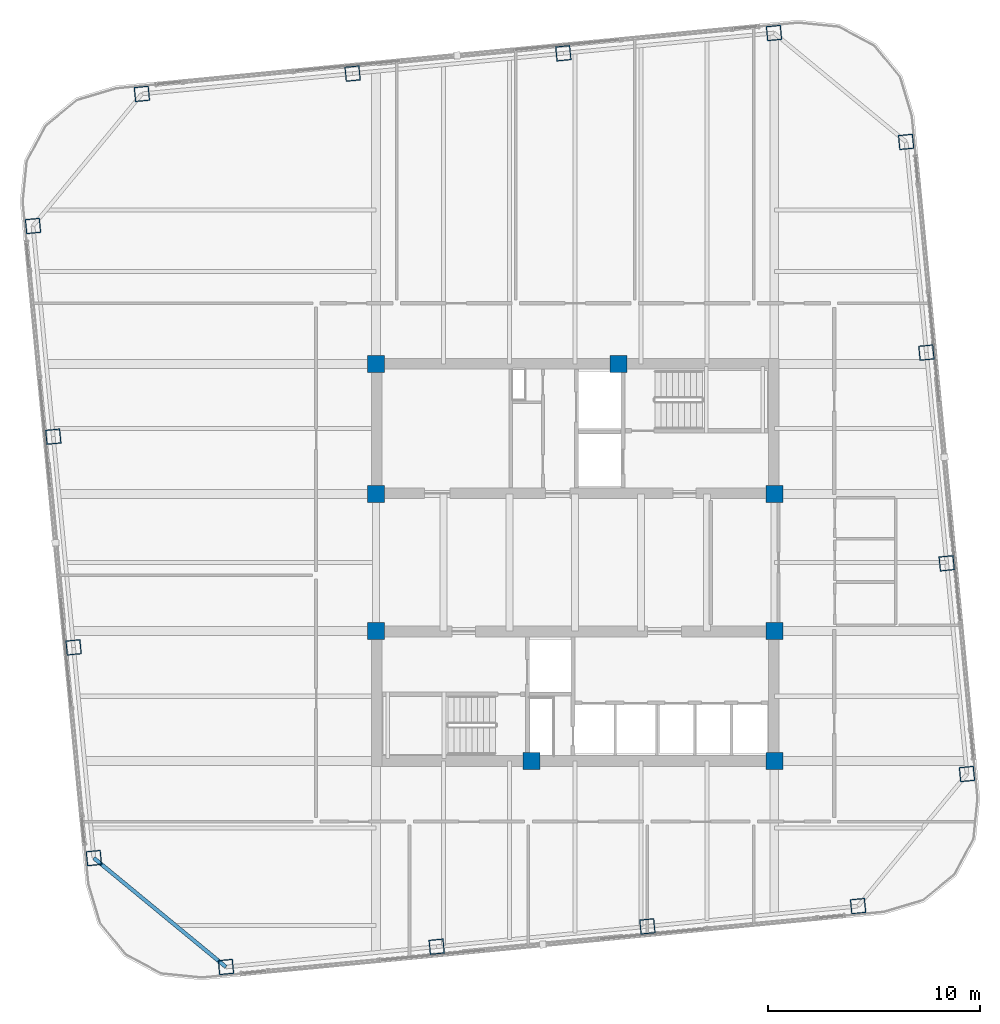
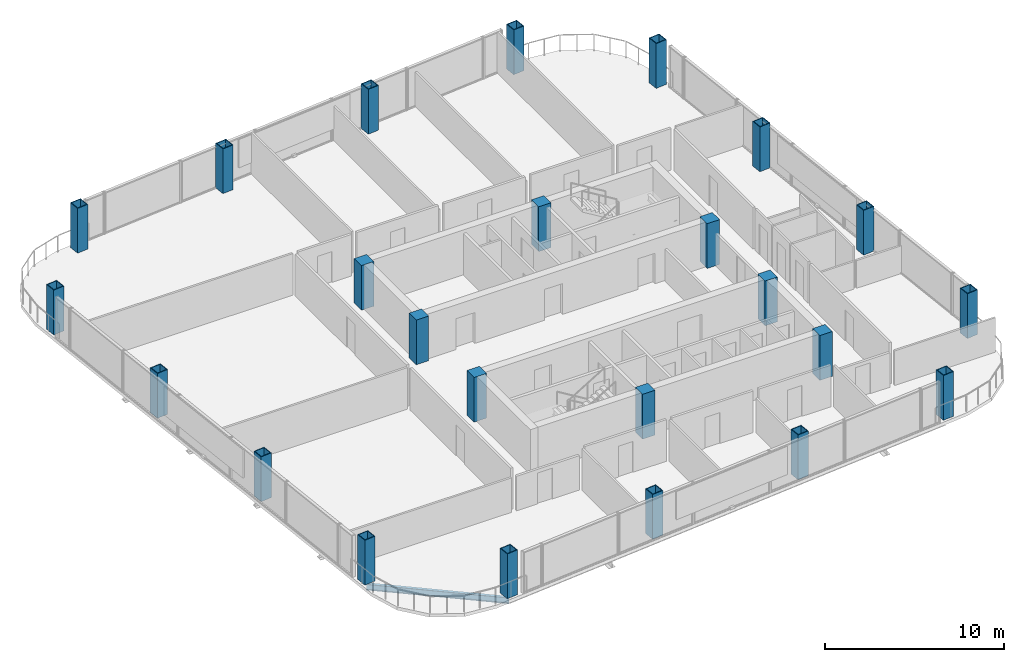
# One storey, part 1 of 22: 24 columns, 1 beam.
"""IFC4 building model written with IfcOpenShell, lengths in metres."""

from ifc_helpers import new_model, si_unit, direction, frame, origin, origin_2d, place, context, subcontext, project, spatial, rectangle, hollow_rectangle, i_section, extrude, material, material_profile, profile_set, type_object, element, save


model = new_model("IFC4")

# Units and contexts
model_context = context("Model", 3, precision=1e-05, world=origin(), true_north=direction((0.0, 1.0)))
body_context = subcontext(model_context, "Body", "Model", "MODEL_VIEW")
ifc_project = project(units=[si_unit("LENGTHUNIT", "METRE"), si_unit("AREAUNIT", "SQUARE_METRE"), si_unit("VOLUMEUNIT", "CUBIC_METRE"), si_unit("PLANEANGLEUNIT", "RADIAN"), si_unit("MASSUNIT", "GRAM", prefix="KILO")], contexts=[model_context])

# Site, building, storey
site_placement = place(None, origin())
site = spatial("IfcSite", under=ifc_project, at=site_placement, CompositionType="ELEMENT")
building_placement = place(site_placement, origin())
building = spatial("IfcBuilding", under=site, at=building_placement, Name="Qhalaya Broadcast Tower", CompositionType="ELEMENT")
storey_placement = place(building_placement, frame((0.0, 0.0, 165.300048828125)))
storey = spatial("IfcBuildingStorey", under=building, at=storey_placement, Name="L48", CompositionType="ELEMENT", Elevation=165.300048828125)

# Columns
ifc_material_1 = material(Name="Concrete C50/60", Category="concrete")
ifc_material_profile_1 = material_profile(ifc_material_1, rectangle(XDim=0.800048828125, YDim=0.800048828125, at=origin_2d()), Name="RC-COL 800x800")
ifc_profile_set_1 = profile_set([ifc_material_profile_1], Name="Concrete C50/60")
column_type_1 = type_object("IfcColumnType", Name="RC Upper Column C10", PredefinedType="COLUMN", material=ifc_profile_set_1)
for number, where, z_axis, x_axis, name in (
    (1, (-9.375, 9.949951171875, 0.0), (0.0, 0.0, 1.0), (1.0, 0.0, 0.0), "L48 Column COL-CC1"),
    (2, (2.050048828125, 9.949951171875, 0.0), (0.0, 0.0, 1.0), (1.0, 0.0, 0.0), "L48 Column COL-CC2"),
    (3, (-9.375, 3.824951171875, 0.0), (0.0, 0.0, 1.0), (1.0, 0.0, 0.0), "L48 Column COL-CC3"),
    (4, (9.375, 3.824951171875, 0.0), (0.0, 0.0, 1.0), (1.0, 0.0, 0.0), "L48 Column COL-CC4"),
    (5, (-9.375, -2.625, 0.0), (0.0, 0.0, 1.0), (1.0, 0.0, 0.0), "L48 Column COL-CC5"),
    (6, (9.375, -2.625, 0.0), (0.0, 0.0, 1.0), (1.0, 0.0, 0.0), "L48 Column COL-CC6"),
    (7, (-2.050048828125, -8.75, 0.0), (0.0, 0.0, 1.0), (1.0, 0.0, 0.0), "L48 Column COL-CC7"),
    (8, (9.375, -8.75, 0.0), (0.0, 0.0, 1.0), (1.0, 0.0, 0.0), "L48 Column COL-CC8"),
):
    element("IfcColumn", number, at=place(storey_placement, frame(where, z_axis=z_axis, x_axis=x_axis)), inside=storey, type_object=column_type_1, Name=name, PredefinedType="COLUMN", context=body_context, shape_type="SweptSolid", body=[
        extrude(rectangle(XDim=0.800048828125, YDim=0.800048828125, at=origin_2d()), origin(), (0.0, 0.0, 1.0), 3.050048828125),
    ])
ifc_material_2 = material(Name="Structural Steel ASTM A572 Grade 50", Category="steel")
ifc_material_profile_2 = material_profile(ifc_material_2, hollow_rectangle(XDim=0.699951171875, YDim=0.699951171875, WallThickness=0.044921875, at=origin_2d()), Name="BOX 700x700x45")
ifc_profile_set_2 = profile_set([ifc_material_profile_2], Name="Structural Steel ASTM A572 Grade 50")
column_type_2 = type_object("IfcColumnType", Name="Steel Box Column C04", PredefinedType="COLUMN", material=ifc_profile_set_2)
for number, where, z_axis, x_axis, name in (
    (9, (-16.44189453125, -18.44775390625, 0.0), (0.0, 0.0, 1.0), (0.995396198367, 0.09584575252, 0.0), "L48 Column COL-EX01"),
    (10, (-6.521240234375, -17.49267578125, 0.0), (0.0, 0.0, 1.0), (0.995396198367, 0.09584575252, 0.0), "L48 Column COL-EX02"),
    (11, (3.399658203125, -16.537353515625, 0.0), (0.0, 0.0, 1.0), (0.995396198367, 0.09584575252, 0.0), "L48 Column COL-EX03"),
    (12, (13.3203125, -15.58203125, 0.0), (0.0, 0.0, 1.0), (0.995396198367, 0.09584575252, 0.0), "L48 Column COL-EX04"),
    (13, (18.44775390625, -9.362060546875, 0.0), (0.0, 0.0, 1.0), (-0.09584575252, 0.995396198367, 0.0), "L48 Column COL-EX05"),
    (14, (17.49267578125, 0.558837890625, 0.0), (0.0, 0.0, 1.0), (-0.09584575252, 0.995396198367, 0.0), "L48 Column COL-EX06"),
    (15, (16.537353515625, 10.4794921875, 0.0), (0.0, 0.0, 1.0), (-0.09584575252, 0.995396198367, 0.0), "L48 Column COL-EX07"),
    (16, (15.58203125, 20.400390625, 0.0), (0.0, 0.0, 1.0), (-0.09584575252, 0.995396198367, 0.0), "L48 Column COL-EX08"),
    (17, (9.362060546875, 25.52783203125, 0.0), (0.0, 0.0, 1.0), (0.995396198367, 0.09584575252, 0.0), "L48 Column COL-EX09"),
    (18, (-0.558837890625, 24.572509765625, 0.0), (0.0, 0.0, 1.0), (0.995396198367, 0.09584575252, 0.0), "L48 Column COL-EX10"),
    (19, (-10.4794921875, 23.6171875, 0.0), (0.0, 0.0, 1.0), (0.995396198367, 0.09584575252, 0.0), "L48 Column COL-EX11"),
    (20, (-20.400390625, 22.662109375, 0.0), (0.0, 0.0, 1.0), (0.995396198367, 0.09584575252, 0.0), "L48 Column COL-EX12"),
    (21, (-25.52783203125, 16.44189453125, 0.0), (0.0, 0.0, 1.0), (-0.09584575252, 0.995396198367, 0.0), "L48 Column COL-EX13"),
    (22, (-24.572509765625, 6.521240234375, 0.0), (0.0, 0.0, 1.0), (-0.09584575252, 0.995396198367, 0.0), "L48 Column COL-EX14"),
    (23, (-23.6171875, -3.399658203125, 0.0), (0.0, 0.0, 1.0), (-0.09584575252, 0.995396198367, 0.0), "L48 Column COL-EX15"),
    (24, (-22.662109375, -13.3203125, 0.0), (0.0, 0.0, 1.0), (-0.09584575252, 0.995396198367, 0.0), "L48 Column COL-EX16"),
):
    element("IfcColumn", number, at=place(storey_placement, frame(where, z_axis=z_axis, x_axis=x_axis)), inside=storey, type_object=column_type_2, Name=name, PredefinedType="COLUMN", context=body_context, shape_type="SweptSolid", body=[
        extrude(hollow_rectangle(XDim=0.699951171875, YDim=0.699951171875, WallThickness=0.044921875, at=origin_2d()), origin(), (0.0, 0.0, 1.0), 3.050048828125),
    ])

# Beam
ifc_material_3 = material(Name="Structural Steel ASTM A992 Grade 50", Category="steel")
ifc_material_profile_3 = material_profile(ifc_material_3, i_section(OverallWidth=0.177978515625, OverallDepth=0.406005859375, WebThickness=0.0078125, FlangeThickness=0.0126953125, at=origin_2d()), Name="W16X40")
ifc_profile_set_3 = profile_set([ifc_material_profile_3], Name="Structural Steel ASTM A992 Grade 50")
beam_type = type_object("IfcBeamType", Name="Upper Perimeter Spandrel Beam SP2", PredefinedType="SPANDREL", material=ifc_profile_set_3)
beam_placement = place(storey_placement, frame((-22.662109375, -13.3203125, -0.423095703125), z_axis=(0.771631160126, -0.636070241972, 0.0), x_axis=(0.636070241972, 0.771631160126, 0.0)))
element("IfcBeam", 25, at=beam_placement, inside=storey, type_object=beam_type, Name="L48 SP2 L48-SPR-16", PredefinedType="SPANDREL", context=body_context, shape_type="SweptSolid", body=[
    extrude(i_section(OverallWidth=0.177978515625, OverallDepth=0.406005859375, WebThickness=0.0078125, FlangeThickness=0.0126953125, at=origin_2d()), origin(), (0.0, 0.0, 1.0), 8.06103515625),
])

save(model, "model.ifc")
